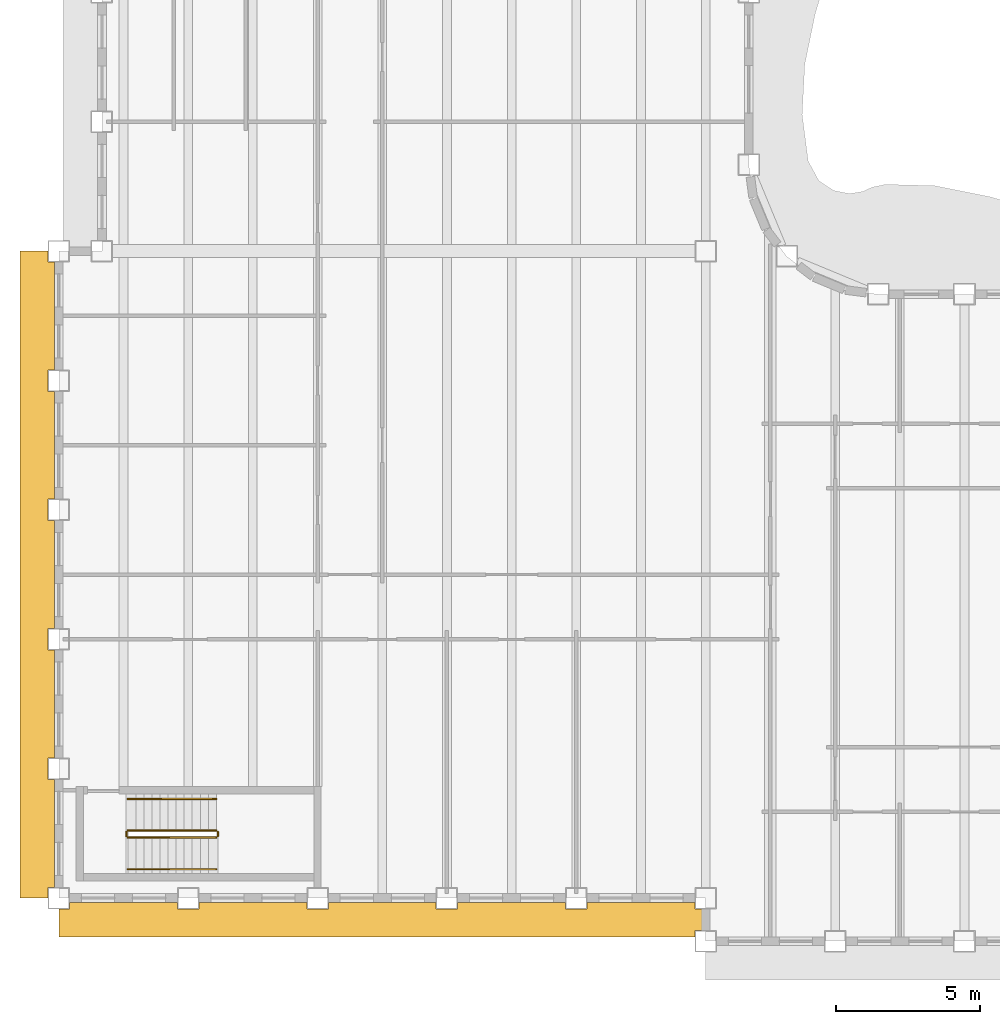
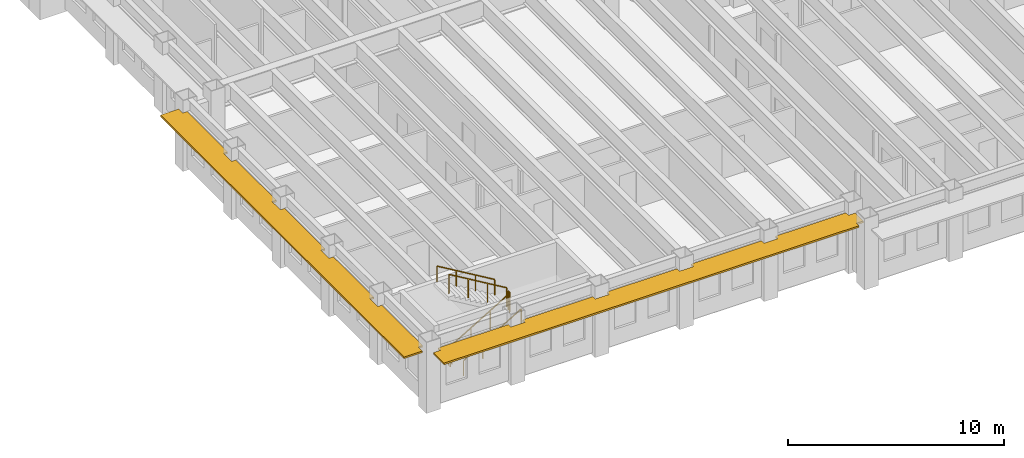
# One storey, part 12 of 17: 6 railings, 2 shading devices.
"""IFC4 building model written with IfcOpenShell, lengths in metres."""

from ifc_helpers import new_model, si_unit, direction, frame, origin, origin_2d, place, context, subcontext, project, spatial, polyline, rectangle, outline, extrude, material, layer, layer_set, type_object, element, save


model = new_model("IFC4")

# Units and contexts
model_context = context("Model", 3, precision=1e-05, world=origin(), true_north=direction((0.0, 1.0)))
body_context = subcontext(model_context, "Body", "Model", "MODEL_VIEW")
ifc_project = project(units=[si_unit("LENGTHUNIT", "METRE"), si_unit("AREAUNIT", "SQUARE_METRE"), si_unit("VOLUMEUNIT", "CUBIC_METRE"), si_unit("PLANEANGLEUNIT", "RADIAN"), si_unit("MASSUNIT", "GRAM", prefix="KILO")], contexts=[model_context])

# Site, building, storey
site_placement = place(None, origin())
site = spatial("IfcSite", under=ifc_project, at=site_placement, CompositionType="ELEMENT")
building_placement = place(site_placement, origin())
building = spatial("IfcBuilding", under=site, at=building_placement, Name="Sennacour Bend Tower", CompositionType="ELEMENT")
storey_placement = place(building_placement, frame((0.0, 0.0, 199.0)))
storey = spatial("IfcBuildingStorey", under=building, at=storey_placement, Name="L45", CompositionType="ELEMENT", Elevation=199.0)

# Railings
ifc_material_1 = material(Name="Stainless steel", Category="steel")
railing_type_1 = type_object("IfcRailingType", Name="RL-GUARD-1100", PredefinedType="GUARDRAIL", material=ifc_material_1)
railing_1_placement = place(storey_placement, frame((2.39990234375, 2.10009765625, 0.166748046875)))
element("IfcRailing", 1, at=railing_1_placement, inside=storey, type_object=railing_type_1, Name="L45 SK1 stair guard 1", PredefinedType="GUARDRAIL", context=body_context, shape_type="SweptSolid", body=[
    extrude(rectangle(XDim=0.048095703125, YDim=0.048095703125, at=origin_2d()), frame((0.0, 0.0, 1.076171875), z_axis=(0.859308565015, 0.0, 0.511457515432), x_axis=(0.0, 1.0, 0.0)), (0.0, 0.0, 1.0), 3.58447265625),
    extrude(rectangle(XDim=0.0419921875, YDim=0.0419921875, at=origin_2d()), origin(), (0.0, 0.0, 1.0), 1.052001953125),
    extrude(rectangle(XDim=0.0419921875, YDim=0.0419921875, at=origin_2d()), frame((1.026611328125, 0.0, 0.611083984375)), (0.0, 0.0, 1.0), 1.052001953125),
    extrude(rectangle(XDim=0.0419921875, YDim=0.0419921875, at=origin_2d()), frame((2.053466796875, 0.0, 1.22216796875)), (0.0, 0.0, 1.0), 1.052001953125),
    extrude(rectangle(XDim=0.0419921875, YDim=0.0419921875, at=origin_2d()), frame((3.080078125, 0.0, 1.833251953125)), (0.0, 0.0, 1.0), 1.052001953125),
])
railing_2_placement = place(storey_placement, frame((5.530029296875, 2.14990234375, 2.0)))
element("IfcRailing", 2, at=railing_2_placement, inside=storey, type_object=railing_type_1, Name="L45 SK1 stair guard 2", PredefinedType="GUARDRAIL", context=body_context, shape_type="SweptSolid", body=[
    extrude(rectangle(XDim=0.048095703125, YDim=0.048095703125, at=origin_2d()), frame((0.0, 0.0, 1.076171875), z_axis=(0.0, 1.0, 0.0), x_axis=(-1.0, 0.0, 0.0)), (0.0, 0.0, 1.0), 0.150146484375),
    extrude(rectangle(XDim=0.0419921875, YDim=0.0419921875, at=origin_2d()), origin(), (0.0, 0.0, 1.0), 1.052001953125),
    extrude(rectangle(XDim=0.0419921875, YDim=0.0419921875, at=origin_2d()), frame((0.0, 0.150146484375, 0.0)), (0.0, 0.0, 1.0), 1.052001953125),
])
railing_3_placement = place(storey_placement, frame((5.47998046875, 2.35009765625, 2.166748046875)))
element("IfcRailing", 3, at=railing_3_placement, inside=storey, type_object=railing_type_1, Name="L45 SK1 stair guard 3", PredefinedType="GUARDRAIL", context=body_context, shape_type="SweptSolid", body=[
    extrude(rectangle(XDim=0.048095703125, YDim=0.048095703125, at=origin_2d()), frame((0.0, 0.0, 1.076171875), z_axis=(-0.859308565015, 0.0, 0.511457515432), x_axis=(0.0, -1.0, 0.0)), (0.0, 0.0, 1.0), 3.58447265625),
    extrude(rectangle(XDim=0.0419921875, YDim=0.0419921875, at=origin_2d()), origin(), (0.0, 0.0, 1.0), 1.052001953125),
    extrude(rectangle(XDim=0.0419921875, YDim=0.0419921875, at=origin_2d()), frame((-1.026611328125, 0.0, 0.611083984375)), (0.0, 0.0, 1.0), 1.052001953125),
    extrude(rectangle(XDim=0.0419921875, YDim=0.0419921875, at=origin_2d()), frame((-2.053466796875, 0.0, 1.22216796875)), (0.0, 0.0, 1.0), 1.052001953125),
    extrude(rectangle(XDim=0.0419921875, YDim=0.0419921875, at=origin_2d()), frame((-3.080078125, 0.0, 1.833251953125)), (0.0, 0.0, 1.0), 1.052001953125),
])
railing_4_placement = place(storey_placement, frame((2.35009765625, 2.14990234375, 0.0)))
element("IfcRailing", 4, at=railing_4_placement, inside=storey, type_object=railing_type_1, Name="L45 SK1 stair guard 4", PredefinedType="GUARDRAIL", context=body_context, shape_type="SweptSolid", body=[
    extrude(rectangle(XDim=0.048095703125, YDim=0.048095703125, at=origin_2d()), frame((0.0, 0.0, 1.076171875), z_axis=(0.0, 1.0, 0.0), x_axis=(-1.0, 0.0, 0.0)), (0.0, 0.0, 1.0), 0.150146484375),
    extrude(rectangle(XDim=0.0419921875, YDim=0.0419921875, at=origin_2d()), origin(), (0.0, 0.0, 1.0), 1.052001953125),
    extrude(rectangle(XDim=0.0419921875, YDim=0.0419921875, at=origin_2d()), frame((0.0, 0.150146484375, 0.0)), (0.0, 0.0, 1.0), 1.052001953125),
])
railing_type_2 = type_object("IfcRailingType", Name="RL-HANDRAIL-900", PredefinedType="HANDRAIL", material=ifc_material_1)
railing_5_placement = place(storey_placement, frame((2.39990234375, 1.0, 0.166748046875)))
element("IfcRailing", 5, at=railing_5_placement, inside=storey, type_object=railing_type_2, Name="L45 SK1 stair handrail 1", PredefinedType="HANDRAIL", context=body_context, shape_type="SweptSolid", body=[
    extrude(rectangle(XDim=0.048095703125, YDim=0.048095703125, at=origin_2d()), frame((0.0, 0.0, 0.8759765625), z_axis=(0.859308565015, 0.0, 0.511457515432), x_axis=(0.0, 1.0, 0.0)), (0.0, 0.0, 1.0), 3.58447265625),
    extrude(rectangle(XDim=0.0419921875, YDim=0.0419921875, at=origin_2d()), origin(), (0.0, 0.0, 1.0), 0.851806640625),
    extrude(rectangle(XDim=0.0419921875, YDim=0.0419921875, at=origin_2d()), frame((1.026611328125, 0.0, 0.611083984375)), (0.0, 0.0, 1.0), 0.851806640625),
    extrude(rectangle(XDim=0.0419921875, YDim=0.0419921875, at=origin_2d()), frame((2.053466796875, 0.0, 1.22216796875)), (0.0, 0.0, 1.0), 0.851806640625),
    extrude(rectangle(XDim=0.0419921875, YDim=0.0419921875, at=origin_2d()), frame((3.080078125, 0.0, 1.833251953125)), (0.0, 0.0, 1.0), 0.851806640625),
])
railing_6_placement = place(storey_placement, frame((5.47998046875, 3.449951171875, 2.166748046875)))
element("IfcRailing", 6, at=railing_6_placement, inside=storey, type_object=railing_type_2, Name="L45 SK1 stair handrail 2", PredefinedType="HANDRAIL", context=body_context, shape_type="SweptSolid", body=[
    extrude(rectangle(XDim=0.048095703125, YDim=0.048095703125, at=origin_2d()), frame((0.0, 0.0, 0.8759765625), z_axis=(-0.859308565015, 0.0, 0.511457515432), x_axis=(0.0, -1.0, 0.0)), (0.0, 0.0, 1.0), 3.58447265625),
    extrude(rectangle(XDim=0.0419921875, YDim=0.0419921875, at=origin_2d()), origin(), (0.0, 0.0, 1.0), 0.851806640625),
    extrude(rectangle(XDim=0.0419921875, YDim=0.0419921875, at=origin_2d()), frame((-1.026611328125, 0.0, 0.611083984375)), (0.0, 0.0, 1.0), 0.851806640625),
    extrude(rectangle(XDim=0.0419921875, YDim=0.0419921875, at=origin_2d()), frame((-2.053466796875, 0.0, 1.22216796875)), (0.0, 0.0, 1.0), 0.851806640625),
    extrude(rectangle(XDim=0.0419921875, YDim=0.0419921875, at=origin_2d()), frame((-3.080078125, 0.0, 1.833251953125)), (0.0, 0.0, 1.0), 0.851806640625),
])

# Shading devices
ifc_material_2 = material(Name="Bronze anodised aluminium", Category="aluminium")
ifc_layer = layer(ifc_material_2, 0.10009765625, Name="Bronze anodised aluminium", Category="aluminium")
ifc_layer_set = layer_set([ifc_layer], Name="Bronze anodised aluminium")
shading_device_type = type_object("IfcShadingDeviceType", Name="SUNSHADE BAND STRAIGHT", PredefinedType="USERDEFINED", material=ifc_layer_set)
shading_device_1_placement = place(storey_placement, frame((0.0, 0.0, 3.056884765625)))
element("IfcShadingDevice", 7, at=shading_device_1_placement, inside=storey, type_object=shading_device_type, Name="Sunshade band L45 K outer face", ObjectType="SUNSHADE", PredefinedType="USERDEFINED", context=body_context, shape_type="SweptSolid", body=[
    extrude(outline(polyline([(-0.14990234375, 18.375), (-0.375, 18.375), (-0.375, 17.625), (-0.14990234375, 17.625), (-0.14990234375, 13.875), (-0.375, 13.875), (-0.375, 13.125), (-0.14990234375, 13.125), (-0.14990234375, 9.375), (-0.375, 9.375), (-0.375, 8.625), (-0.14990234375, 8.625), (-0.14990234375, 4.875), (-0.375, 4.875), (-0.375, 4.125), (-0.14990234375, 4.125), (-0.14990234375, 0.375), (-0.375, 0.375), (-0.375, 0.0), (-1.35009765625, 0.0), (-1.35009765625, 22.5), (-0.375, 22.5), (-0.375, 22.125), (-0.14990234375, 22.125), (-0.14990234375, 18.375)])), origin(), (0.0, 0.0, 1.0), 0.10009765625),
])
shading_device_2_placement = place(storey_placement, frame((0.0, 0.0, 3.056884765625)))
element("IfcShadingDevice", 8, at=shading_device_2_placement, inside=storey, type_object=shading_device_type, Name="Sunshade band L45 K outer face", ObjectType="SUNSHADE", PredefinedType="USERDEFINED", context=body_context, shape_type="SweptSolid", body=[
    extrude(outline(polyline([(4.125, -0.14990234375), (4.125, -0.375), (4.875, -0.375), (4.875, -0.14990234375), (8.625, -0.14990234375), (8.625, -0.375), (9.375, -0.375), (9.375, -0.14990234375), (13.125, -0.14990234375), (13.125, -0.375), (13.875, -0.375), (13.875, -0.14990234375), (17.625, -0.14990234375), (17.625, -0.375), (18.375, -0.375), (18.375, -0.14990234375), (22.125, -0.14990234375), (22.125, -0.375), (22.5, -0.375), (22.5, -1.125), (22.125, -1.125), (22.125, -1.35009765625), (0.0, -1.35009765625), (0.0, -0.375), (0.375, -0.375), (0.375, -0.14990234375), (4.125, -0.14990234375)])), origin(), (0.0, 0.0, 1.0), 0.10009765625),
])

save(model, "model.ifc")
